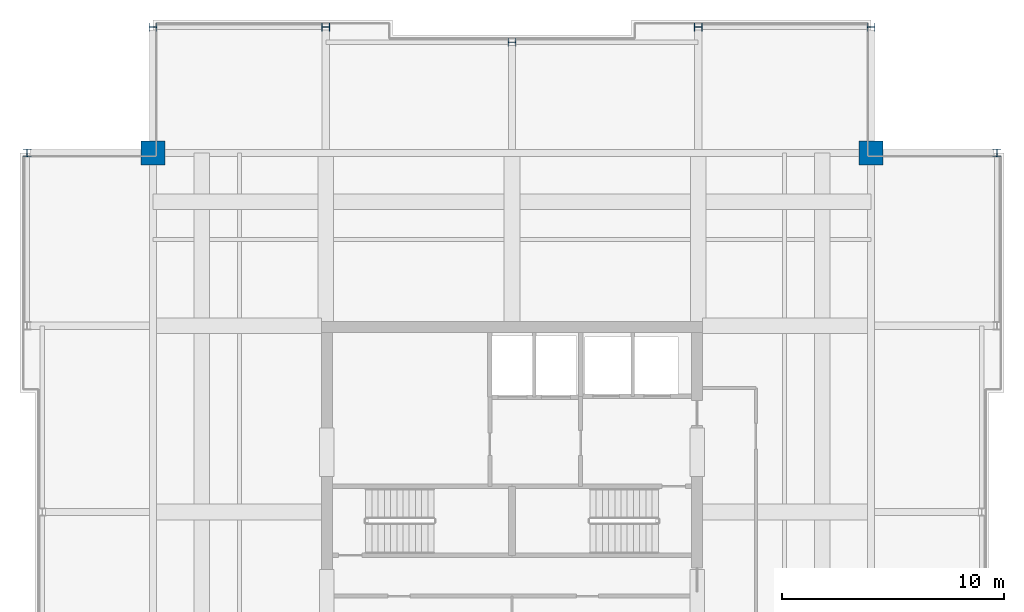
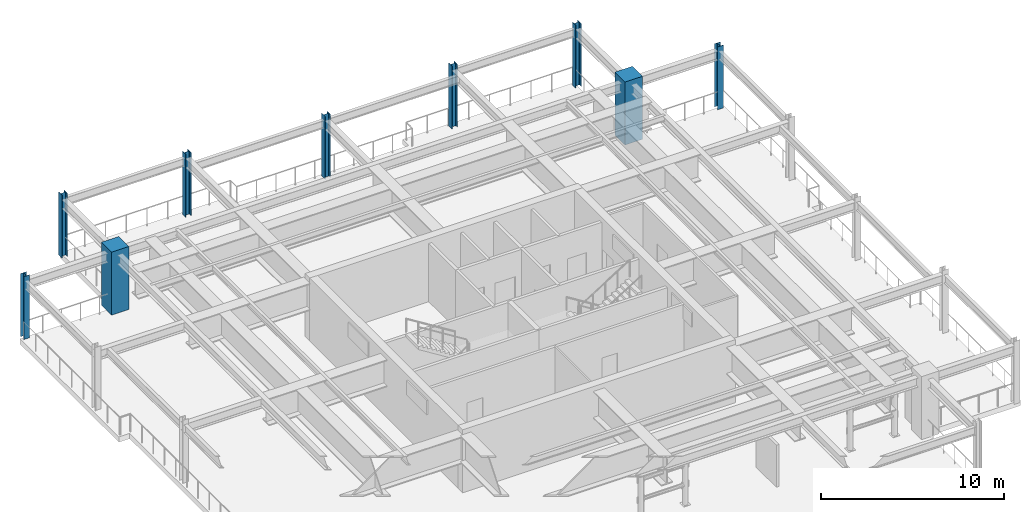
# One storey, part 3 of 12: 9 columns.
"""IFC4 building model written with IfcOpenShell, lengths in metres."""

from ifc_helpers import new_model, si_unit, direction, frame, origin, origin_2d, place, context, subcontext, project, spatial, rectangle, i_section, extrude, material, material_profile, profile_set, type_object, element, save


model = new_model("IFC4")

# Units and contexts
model_context = context("Model", 3, precision=1e-05, world=origin(), true_north=direction((0.0, 1.0)))
body_context = subcontext(model_context, "Body", "Model", "MODEL_VIEW")
ifc_project = project(units=[si_unit("LENGTHUNIT", "METRE"), si_unit("AREAUNIT", "SQUARE_METRE"), si_unit("VOLUMEUNIT", "CUBIC_METRE"), si_unit("PLANEANGLEUNIT", "RADIAN"), si_unit("MASSUNIT", "GRAM", prefix="KILO")], contexts=[model_context])

# Site, building, storey
site_placement = place(None, origin())
site = spatial("IfcSite", under=ifc_project, at=site_placement, CompositionType="ELEMENT")
building_placement = place(site_placement, origin())
building = spatial("IfcBuilding", under=site, at=building_placement, Name="Drelvath Grand Hotel", CompositionType="ELEMENT")
storey_placement = place(building_placement, frame((0.0, 0.0, 307.199951171875)))
storey = spatial("IfcBuildingStorey", under=building, at=storey_placement, Name="L80", CompositionType="ELEMENT", Elevation=307.199951171875)

# Columns
ifc_material_1 = material(Name="Concrete f'c 55 MPa", Category="concrete")
ifc_material_profile_1 = material_profile(ifc_material_1, rectangle(XDim=1.10009765625, YDim=1.10009765625, at=origin_2d()), Name="MC1100X1100")
ifc_profile_set_1 = profile_set([ifc_material_profile_1], Name="Concrete f'c 55 MPa")
column_type_1 = type_object("IfcColumnType", Name="Composite Mega Column MC1100X1100", PredefinedType="COLUMN", material=ifc_profile_set_1)
for number, where, z_axis, x_axis, name in (
    (1, (-16.199951171875, 43.199951171875, 0.0), (0.0, 0.0, 1.0), (1.0, 0.0, 0.0), "L80 Composite Mega Column MC-NW"),
    (2, (16.199951171875, 43.199951171875, 0.0), (0.0, 0.0, 1.0), (1.0, 0.0, 0.0), "L80 Composite Mega Column MC-NE"),
):
    element("IfcColumn", number, at=place(storey_placement, frame(where, z_axis=z_axis, x_axis=x_axis)), inside=storey, type_object=column_type_1, Name=name, PredefinedType="COLUMN", context=body_context, shape_type="SweptSolid", body=[
        extrude(rectangle(XDim=1.10009765625, YDim=1.10009765625, at=origin_2d()), origin(), (0.0, 0.0, 1.0), 4.199951171875),
    ])
ifc_material_2 = material(Name="Steel ASTM A913 Gr 65", Category="steel")
ifc_material_profile_2 = material_profile(ifc_material_2, i_section(OverallWidth=0.368896484375, OverallDepth=0.356201171875, WebThickness=0.01123046875, FlangeThickness=0.01806640625, FilletRadius=0.02490234375, at=origin_2d()), Name="W14X90")
ifc_profile_set_2 = profile_set([ifc_material_profile_2], Name="Steel ASTM A913 Gr 65")
column_type_2 = type_object("IfcColumnType", Name="Perimeter Steel Column W14X90", PredefinedType="COLUMN", material=ifc_profile_set_2)
for number, where, z_axis, x_axis, name in (
    (3, (-21.8798828125, 43.199951171875, 0.0), (0.0, 0.0, 1.0), (1.0, 0.0, 0.0), "L80 Structural Column TCW-G"),
    (4, (21.8798828125, 43.199951171875, 0.0), (0.0, 0.0, 1.0), (1.0, 0.0, 0.0), "L80 Structural Column TCE-G"),
    (5, (-16.199951171875, 48.8798828125, 0.0), (0.0, 0.0, 1.0), (0.0, 1.0, 0.0), "L80 Structural Column TCN-3"),
    (6, (-8.39990234375, 48.8798828125, 0.0), (0.0, 0.0, 1.0), (0.0, 1.0, 0.0), "L80 Structural Column TCN-4"),
    (7, (0.0, 48.199951171875, 0.0), (0.0, 0.0, 1.0), (0.0, 1.0, 0.0), "L80 Structural Column TCN-5"),
    (8, (8.39990234375, 48.8798828125, 0.0), (0.0, 0.0, 1.0), (0.0, 1.0, 0.0), "L80 Structural Column TCN-6"),
    (9, (16.199951171875, 48.8798828125, 0.0), (0.0, 0.0, 1.0), (0.0, 1.0, 0.0), "L80 Structural Column TCN-7"),
):
    element("IfcColumn", number, at=place(storey_placement, frame(where, z_axis=z_axis, x_axis=x_axis)), inside=storey, type_object=column_type_2, Name=name, PredefinedType="COLUMN", context=body_context, shape_type="SweptSolid", body=[
        extrude(i_section(OverallWidth=0.368896484375, OverallDepth=0.356201171875, WebThickness=0.01123046875, FlangeThickness=0.01806640625, FilletRadius=0.02490234375, at=origin_2d()), origin(), (0.0, 0.0, 1.0), 4.197021484375),
    ])

save(model, "model.ifc")
